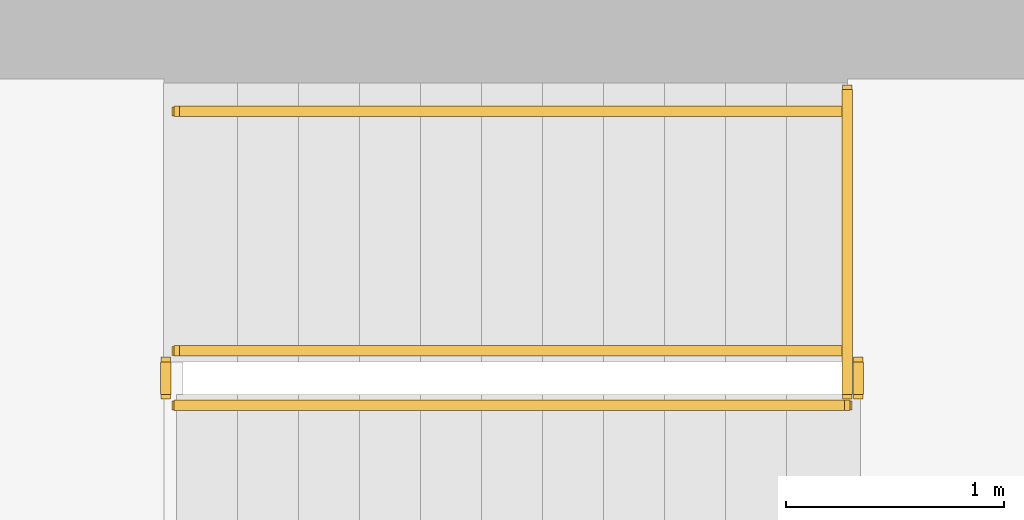
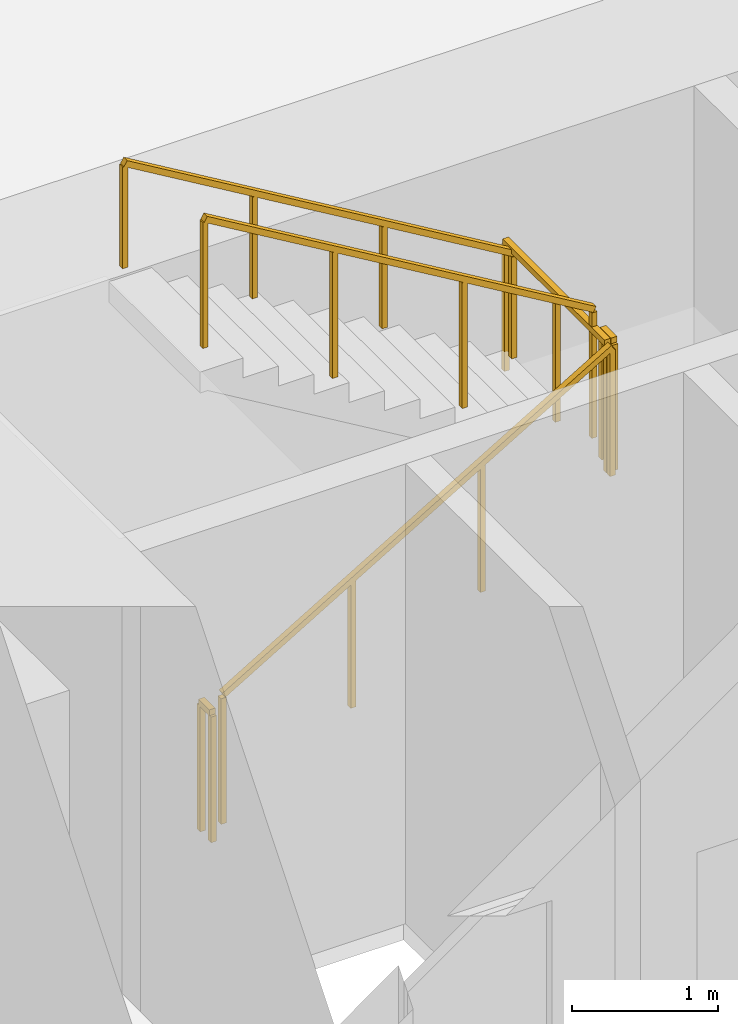
# One storey, part 15 of 18: 6 railings.
"""IFC4 building model written with IfcOpenShell, lengths in metres."""

from ifc_helpers import new_model, si_unit, direction, frame, origin, origin_2d, place, context, subcontext, project, spatial, rectangle, extrude, material, type_object, element, save


model = new_model("IFC4")

# Units and contexts
model_context = context("Model", 3, precision=1e-05, world=origin(), true_north=direction((0.0, 1.0)))
body_context = subcontext(model_context, "Body", "Model", "MODEL_VIEW")
ifc_project = project(units=[si_unit("LENGTHUNIT", "METRE"), si_unit("AREAUNIT", "SQUARE_METRE"), si_unit("VOLUMEUNIT", "CUBIC_METRE"), si_unit("PLANEANGLEUNIT", "RADIAN"), si_unit("MASSUNIT", "GRAM", prefix="KILO")], contexts=[model_context])

# Site, building, storey
site_placement = place(None, origin())
site = spatial("IfcSite", under=ifc_project, at=site_placement, CompositionType="ELEMENT")
building_placement = place(site_placement, origin())
building = spatial("IfcBuilding", under=site, at=building_placement, Name="Sennacour Bend Tower", CompositionType="ELEMENT")
storey_placement = place(building_placement, frame((0.0, 0.0, 29.0)))
storey = spatial("IfcBuildingStorey", under=building, at=storey_placement, Name="L05", CompositionType="ELEMENT", Elevation=29.0)

# Railings
ifc_material = material(Name="Stainless steel", Category="steel")
railing_type_1 = type_object("IfcRailingType", Name="RL-GUARD-1100", PredefinedType="GUARDRAIL", material=ifc_material)
railing_1_placement = place(storey_placement, frame((56.699951171875, 19.85009765625, 0.166748046875)))
element("IfcRailing", 1, at=railing_1_placement, inside=storey, type_object=railing_type_1, Name="L05 SA2 stair guard 1", PredefinedType="GUARDRAIL", context=body_context, shape_type="SweptSolid", body=[
    extrude(rectangle(XDim=0.048095703125, YDim=0.048095703125, at=origin_2d()), frame((0.0, 0.0, 1.076171875), z_axis=(0.859308565015, 0.0, 0.511457515432), x_axis=(0.0, 1.0, 0.0)), (0.0, 0.0, 1.0), 3.58447265625),
    extrude(rectangle(XDim=0.0419921875, YDim=0.0419921875, at=origin_2d()), origin(), (0.0, 0.0, 1.0), 1.052001953125),
    extrude(rectangle(XDim=0.0419921875, YDim=0.0419921875, at=origin_2d()), frame((1.026611328125, 0.0, 0.611083984375)), (0.0, 0.0, 1.0), 1.052001953125),
    extrude(rectangle(XDim=0.0419921875, YDim=0.0419921875, at=origin_2d()), frame((2.053466796875, 0.0, 1.22216796875)), (0.0, 0.0, 1.0), 1.052001953125),
    extrude(rectangle(XDim=0.0419921875, YDim=0.0419921875, at=origin_2d()), frame((3.080078125, 0.0, 1.833251953125)), (0.0, 0.0, 1.0), 1.052001953125),
])
railing_2_placement = place(storey_placement, frame((59.830078125, 19.89990234375, 2.0)))
element("IfcRailing", 2, at=railing_2_placement, inside=storey, type_object=railing_type_1, Name="L05 SA2 stair guard 2", PredefinedType="GUARDRAIL", context=body_context, shape_type="SweptSolid", body=[
    extrude(rectangle(XDim=0.048095703125, YDim=0.048095703125, at=origin_2d()), frame((0.0, 0.0, 1.076171875), z_axis=(0.0, 1.0, 0.0), x_axis=(-1.0, 0.0, 0.0)), (0.0, 0.0, 1.0), 0.150146484375),
    extrude(rectangle(XDim=0.0419921875, YDim=0.0419921875, at=origin_2d()), origin(), (0.0, 0.0, 1.0), 1.052001953125),
    extrude(rectangle(XDim=0.0419921875, YDim=0.0419921875, at=origin_2d()), frame((0.0, 0.150146484375, 0.0)), (0.0, 0.0, 1.0), 1.052001953125),
])
railing_3_placement = place(storey_placement, frame((59.780029296875, 20.10009765625, 2.166748046875)))
element("IfcRailing", 3, at=railing_3_placement, inside=storey, type_object=railing_type_1, Name="L05 SA2 stair guard 4", PredefinedType="GUARDRAIL", context=body_context, shape_type="SweptSolid", body=[
    extrude(rectangle(XDim=0.048095703125, YDim=0.048095703125, at=origin_2d()), frame((0.0, 0.0, 1.076171875), z_axis=(-0.859308565015, 0.0, 0.511457515432), x_axis=(0.0, -1.0, 0.0)), (0.0, 0.0, 1.0), 3.58447265625),
    extrude(rectangle(XDim=0.0419921875, YDim=0.0419921875, at=origin_2d()), origin(), (0.0, 0.0, 1.0), 1.052001953125),
    extrude(rectangle(XDim=0.0419921875, YDim=0.0419921875, at=origin_2d()), frame((-1.026611328125, 0.0, 0.611083984375)), (0.0, 0.0, 1.0), 1.052001953125),
    extrude(rectangle(XDim=0.0419921875, YDim=0.0419921875, at=origin_2d()), frame((-2.053466796875, 0.0, 1.22216796875)), (0.0, 0.0, 1.0), 1.052001953125),
    extrude(rectangle(XDim=0.0419921875, YDim=0.0419921875, at=origin_2d()), frame((-3.080078125, 0.0, 1.833251953125)), (0.0, 0.0, 1.0), 1.052001953125),
])
railing_4_placement = place(storey_placement, frame((56.64990234375, 19.89990234375, 0.0)))
element("IfcRailing", 4, at=railing_4_placement, inside=storey, type_object=railing_type_1, Name="L05 SA2 stair guard 5", PredefinedType="GUARDRAIL", context=body_context, shape_type="SweptSolid", body=[
    extrude(rectangle(XDim=0.048095703125, YDim=0.048095703125, at=origin_2d()), frame((0.0, 0.0, 1.076171875), z_axis=(0.0, 1.0, 0.0), x_axis=(-1.0, 0.0, 0.0)), (0.0, 0.0, 1.0), 0.150146484375),
    extrude(rectangle(XDim=0.0419921875, YDim=0.0419921875, at=origin_2d()), origin(), (0.0, 0.0, 1.0), 1.052001953125),
    extrude(rectangle(XDim=0.0419921875, YDim=0.0419921875, at=origin_2d()), frame((0.0, 0.150146484375, 0.0)), (0.0, 0.0, 1.0), 1.052001953125),
])
railing_5_placement = place(storey_placement, frame((59.780029296875, 19.89990234375, 2.0)))
element("IfcRailing", 5, at=railing_5_placement, inside=storey, type_object=railing_type_1, Name="L05 SA2 landing edge guard 16", PredefinedType="GUARDRAIL", context=body_context, shape_type="SweptSolid", body=[
    extrude(rectangle(XDim=0.048095703125, YDim=0.048095703125, at=origin_2d()), frame((0.0, 0.0, 1.076171875), z_axis=(0.0, 1.0, 0.0), x_axis=(-1.0, 0.0, 0.0)), (0.0, 0.0, 1.0), 1.400146484375),
    extrude(rectangle(XDim=0.0419921875, YDim=0.0419921875, at=origin_2d()), origin(), (0.0, 0.0, 1.0), 1.052001953125),
    extrude(rectangle(XDim=0.0419921875, YDim=0.0419921875, at=origin_2d()), frame((0.0, 0.7001953125, 0.0)), (0.0, 0.0, 1.0), 1.052001953125),
    extrude(rectangle(XDim=0.0419921875, YDim=0.0419921875, at=origin_2d()), frame((0.0, 1.400146484375, 0.0)), (0.0, 0.0, 1.0), 1.052001953125),
])
railing_type_2 = type_object("IfcRailingType", Name="RL-HANDRAIL-900", PredefinedType="HANDRAIL", material=ifc_material)
railing_6_placement = place(storey_placement, frame((59.780029296875, 21.199951171875, 2.166748046875)))
element("IfcRailing", 6, at=railing_6_placement, inside=storey, type_object=railing_type_2, Name="L05 SA2 stair handrail 2", PredefinedType="HANDRAIL", context=body_context, shape_type="SweptSolid", body=[
    extrude(rectangle(XDim=0.048095703125, YDim=0.048095703125, at=origin_2d()), frame((0.0, 0.0, 0.8759765625), z_axis=(-0.859308565015, 0.0, 0.511457515432), x_axis=(0.0, -1.0, 0.0)), (0.0, 0.0, 1.0), 3.58447265625),
    extrude(rectangle(XDim=0.0419921875, YDim=0.0419921875, at=origin_2d()), origin(), (0.0, 0.0, 1.0), 0.851806640625),
    extrude(rectangle(XDim=0.0419921875, YDim=0.0419921875, at=origin_2d()), frame((-1.026611328125, 0.0, 0.611083984375)), (0.0, 0.0, 1.0), 0.851806640625),
    extrude(rectangle(XDim=0.0419921875, YDim=0.0419921875, at=origin_2d()), frame((-2.053466796875, 0.0, 1.22216796875)), (0.0, 0.0, 1.0), 0.851806640625),
    extrude(rectangle(XDim=0.0419921875, YDim=0.0419921875, at=origin_2d()), frame((-3.080078125, 0.0, 1.833251953125)), (0.0, 0.0, 1.0), 0.851806640625),
])

save(model, "model.ifc")
